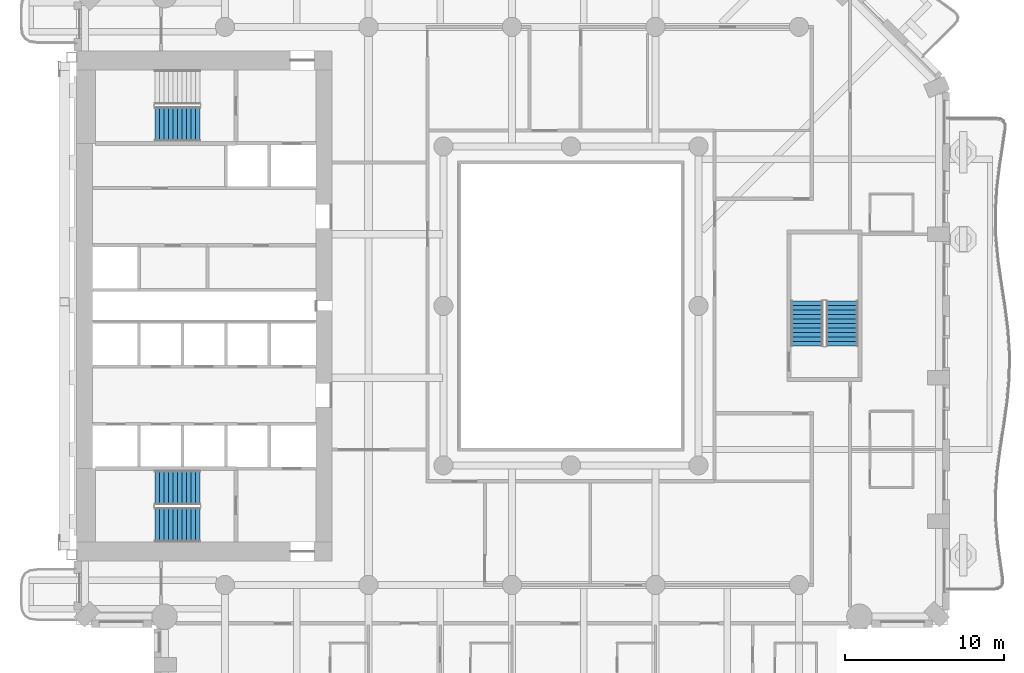
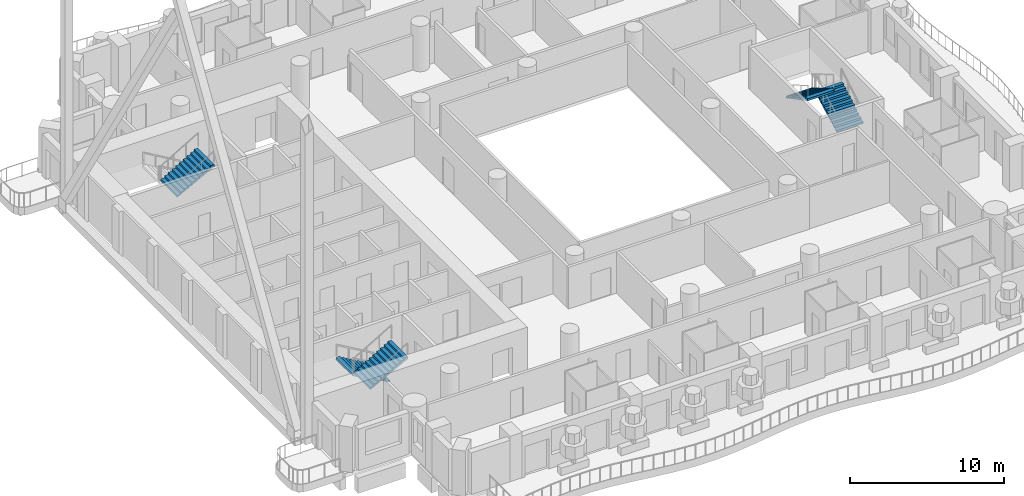
# One storey, part 15 of 24: 5 stair flights, 3 elements without a shape of their own.
"""IFC4 building model written with IfcOpenShell, lengths in metres."""

from ifc_helpers import new_model, si_unit, direction, frame, origin, place, context, subcontext, project, spatial, triangles, material, type_object, element, aggregate, save


model = new_model("IFC4")

# Units and contexts
model_context = context("Model", 3, precision=1e-05, world=origin(), true_north=direction((0.0, 1.0)))
body_context = subcontext(model_context, "Body", "Model", "MODEL_VIEW")
ifc_project = project(units=[si_unit("LENGTHUNIT", "METRE"), si_unit("AREAUNIT", "SQUARE_METRE"), si_unit("VOLUMEUNIT", "CUBIC_METRE"), si_unit("PLANEANGLEUNIT", "RADIAN"), si_unit("MASSUNIT", "GRAM", prefix="KILO")], contexts=[model_context])

# Site, building, storey
site_placement = place(None, origin())
site = spatial("IfcSite", under=ifc_project, at=site_placement, CompositionType="ELEMENT")
building_placement = place(site_placement, origin())
building = spatial("IfcBuilding", under=site, at=building_placement, Name="Cypress Arch Tower", CompositionType="ELEMENT")
storey_placement = place(building_placement, frame((0.0, 0.0, 102.300048828125)))
storey = spatial("IfcBuildingStorey", under=building, at=storey_placement, Name="L20", CompositionType="ELEMENT", Elevation=102.300048828125)

# Stair, stair flights
ifc_material_1 = material(Name="Concrete C40/50", Category="concrete")
stair_type_1 = type_object("IfcStairType", Name="Exit stair ES1636-200", PredefinedType="HALF_TURN_STAIR", material=ifc_material_1)
stair_1_placement = place(storey_placement, origin())
stair_1 = element("IfcStair", 1, at=stair_1_placement, inside=storey, type_object=stair_type_1, Name="L20 Exit stair C", PredefinedType="HALF_TURN_STAIR")
ifc_material_2 = material(Name="Concrete C40/50", Category="concrete")
stair_flight_type_1 = type_object("IfcStairFlightType", Name="Exit stair flight ES1636-200", PredefinedType="STRAIGHT", material=ifc_material_2)
stair_flight_1_placement = place(storey_placement, frame((18.0, -2.5, 0.0), z_axis=(0.0, 0.0, 1.0), x_axis=(0.0, 1.0, 0.0)))
stair_flight_1 = element("IfcStairFlight", 2, at=stair_flight_1_placement, type_object=stair_flight_type_1, Name="C flight 1", NumberOfRisers=11, NumberOfTreads=10, PredefinedType="STRAIGHT", RiserHeight=0.163636364, TreadLength=0.28, context=body_context, shape_type="Tessellation", body=[
    triangles([(0.0, -1.0, 0.0), (0.00048828125, -1.0, 0.054443359375), (0.00048828125, -1.0, 0.109130859375), (0.0, -1.0, 0.16357421875), (0.280029296875, -1.0, 0.16357421875), (0.280029296875, -1.0, 0.327392578125), (0.56005859375, -1.0, 0.327392578125), (0.56005859375, -1.0, 0.490966796875), (0.840087890625, -1.0, 0.490966796875), (0.840087890625, -1.0, 0.654541015625), (1.1201171875, -1.0, 0.654541015625), (1.1201171875, -1.0, 0.818115234375), (1.39990234375, -1.0, 0.818115234375), (1.39990234375, -1.0, 0.98193359375), (1.679931640625, -1.0, 0.98193359375), (1.679931640625, -1.0, 1.1455078125), (1.9599609375, -1.0, 1.1455078125), (1.9599609375, -1.0, 1.30908203125), (2.239990234375, -1.0, 1.30908203125), (2.239990234375, -1.0, 1.47265625), (2.52001953125, -1.0, 1.47265625), (2.52001953125, -1.0, 1.636474609375), (2.800048828125, -1.0, 1.636474609375), (2.799560546875, -1.0, 1.57861328125), (2.799560546875, -1.0, 1.5205078125), (2.800048828125, -1.0, 1.462646484375), (2.800048828125, 1.0, 1.462646484375), (2.799560546875, 1.0, 1.5205078125), (2.799560546875, 1.0, 1.57861328125), (2.800048828125, 1.0, 1.636474609375), (2.52001953125, 1.0, 1.636474609375), (2.52001953125, 1.0, 1.47265625), (2.239990234375, 1.0, 1.47265625), (2.239990234375, 1.0, 1.30908203125), (1.9599609375, 1.0, 1.30908203125), (1.9599609375, 1.0, 1.1455078125), (1.679931640625, 1.0, 1.1455078125), (1.679931640625, 1.0, 0.98193359375), (1.39990234375, 1.0, 0.98193359375), (1.39990234375, 1.0, 0.818115234375), (1.1201171875, 1.0, 0.818115234375), (1.1201171875, 1.0, 0.654541015625), (0.840087890625, 1.0, 0.654541015625), (0.840087890625, 1.0, 0.490966796875), (0.56005859375, 1.0, 0.490966796875), (0.56005859375, 1.0, 0.327392578125), (0.280029296875, 1.0, 0.327392578125), (0.280029296875, 1.0, 0.16357421875), (0.0, 1.0, 0.16357421875), (0.00048828125, 1.0, 0.109130859375), (0.00048828125, 1.0, 0.054443359375), (0.0, 1.0, 0.0), (2.799560546875, 0.0, 1.5205078125), (2.800048828125, 0.0, 1.462646484375), (2.799560546875, 0.0, 1.57861328125), (2.800048828125, 0.0, 1.636474609375), (2.52001953125, 0.0, 1.636474609375), (2.52001953125, 0.0, 1.47265625), (2.239990234375, 0.0, 1.47265625), (2.239990234375, 0.0, 1.30908203125), (1.9599609375, 0.0, 1.30908203125), (1.9599609375, 0.0, 1.1455078125), (1.679931640625, 0.0, 1.1455078125), (1.679931640625, 0.0, 0.98193359375), (1.39990234375, 0.0, 0.98193359375), (1.39990234375, 0.0, 0.818115234375), (1.1201171875, 0.0, 0.818115234375), (1.1201171875, 0.0, 0.654541015625), (0.840087890625, 0.0, 0.654541015625), (0.840087890625, 0.0, 0.490966796875), (0.56005859375, 0.0, 0.490966796875), (0.56005859375, 0.0, 0.327392578125), (0.280029296875, 0.0, 0.327392578125), (0.280029296875, 0.0, 0.16357421875), (0.0, 0.0, 0.16357421875), (0.00048828125, 0.0, 0.109130859375), (0.00048828125, 0.0, 0.054443359375), (0.0, 0.0, 0.0)], [[26, 25, 22], [25, 24, 22], [24, 23, 22], [15, 14, 13], [7, 6, 5], [13, 12, 11], [21, 20, 19], [19, 18, 17], [17, 16, 15], [11, 10, 9], [9, 8, 7], [4, 3, 5], [3, 2, 5], [2, 1, 5], [26, 22, 21], [26, 21, 19], [26, 19, 17], [26, 17, 15], [26, 15, 13], [26, 13, 11], [26, 11, 9], [26, 9, 7], [26, 7, 5], [26, 5, 1], [27, 31, 28], [28, 31, 29], [29, 31, 30], [38, 40, 39], [46, 48, 47], [40, 42, 41], [32, 34, 33], [34, 36, 35], [36, 38, 37], [42, 44, 43], [44, 46, 45], [49, 48, 50], [50, 48, 51], [51, 48, 52], [27, 32, 31], [27, 34, 32], [27, 36, 34], [27, 38, 36], [27, 40, 38], [27, 42, 40], [27, 44, 42], [27, 46, 44], [27, 48, 46], [27, 52, 48], [54, 53, 25], [54, 25, 26], [27, 28, 53], [27, 53, 54], [53, 55, 24], [53, 24, 25], [28, 29, 55], [28, 55, 53], [55, 56, 23], [55, 23, 24], [29, 30, 56], [29, 56, 55], [56, 57, 22], [56, 22, 23], [30, 31, 57], [30, 57, 56], [57, 58, 21], [57, 21, 22], [31, 32, 58], [31, 58, 57], [58, 59, 20], [58, 20, 21], [32, 33, 59], [32, 59, 58], [59, 60, 19], [59, 19, 20], [33, 34, 60], [33, 60, 59], [60, 61, 18], [60, 18, 19], [34, 35, 61], [34, 61, 60], [61, 62, 17], [61, 17, 18], [35, 36, 62], [35, 62, 61], [62, 63, 16], [62, 16, 17], [36, 37, 63], [36, 63, 62], [63, 64, 15], [63, 15, 16], [37, 38, 64], [37, 64, 63], [64, 65, 14], [64, 14, 15], [38, 39, 65], [38, 65, 64], [65, 66, 13], [65, 13, 14], [39, 40, 66], [39, 66, 65], [66, 67, 12], [66, 12, 13], [40, 41, 67], [40, 67, 66], [67, 68, 11], [67, 11, 12], [41, 42, 68], [41, 68, 67], [68, 69, 10], [68, 10, 11], [42, 43, 69], [42, 69, 68], [69, 70, 9], [69, 9, 10], [43, 44, 70], [43, 70, 69], [70, 71, 8], [70, 8, 9], [44, 45, 71], [44, 71, 70], [71, 72, 7], [71, 7, 8], [45, 46, 72], [45, 72, 71], [72, 73, 6], [72, 6, 7], [46, 47, 73], [46, 73, 72], [73, 74, 5], [73, 5, 6], [47, 48, 74], [47, 74, 73], [74, 75, 4], [74, 4, 5], [48, 49, 75], [48, 75, 74], [75, 76, 3], [75, 3, 4], [49, 50, 76], [49, 76, 75], [76, 77, 2], [76, 2, 3], [50, 51, 77], [50, 77, 76], [77, 78, 1], [77, 1, 2], [51, 52, 78], [51, 78, 77], [78, 54, 26], [78, 26, 1], [52, 27, 54], [52, 54, 78]], closed=True),
])
stair_flight_2_placement = place(storey_placement, frame((15.800048828125, 0.300048828125, 1.800048828125), z_axis=(0.0, 0.0, 1.0), x_axis=(0.0, -1.0, 0.0)))
stair_flight_2 = element("IfcStairFlight", 3, at=stair_flight_2_placement, type_object=stair_flight_type_1, Name="C flight 2", NumberOfRisers=11, NumberOfTreads=10, PredefinedType="STRAIGHT", RiserHeight=0.163636364, TreadLength=0.28, context=body_context, shape_type="Tessellation", body=[
    triangles([(0.0, -1.0, 0.0), (0.00048828125, -1.0, 0.054443359375), (0.00048828125, -1.0, 0.109130859375), (0.0, -1.0, 0.16357421875), (0.280029296875, -1.0, 0.16357421875), (0.280029296875, -1.0, 0.327392578125), (0.56005859375, -1.0, 0.327392578125), (0.56005859375, -1.0, 0.490966796875), (0.840087890625, -1.0, 0.490966796875), (0.840087890625, -1.0, 0.654541015625), (1.1201171875, -1.0, 0.654541015625), (1.1201171875, -1.0, 0.818115234375), (1.39990234375, -1.0, 0.818115234375), (1.39990234375, -1.0, 0.98193359375), (1.679931640625, -1.0, 0.98193359375), (1.679931640625, -1.0, 1.1455078125), (1.9599609375, -1.0, 1.1455078125), (1.9599609375, -1.0, 1.30908203125), (2.239990234375, -1.0, 1.30908203125), (2.239990234375, -1.0, 1.47265625), (2.52001953125, -1.0, 1.47265625), (2.52001953125, -1.0, 1.636474609375), (2.800048828125, -1.0, 1.636474609375), (2.799560546875, -1.0, 1.57861328125), (2.799560546875, -1.0, 1.5205078125), (2.800048828125, -1.0, 1.462646484375), (2.800048828125, 1.0, 1.462646484375), (2.799560546875, 1.0, 1.5205078125), (2.799560546875, 1.0, 1.57861328125), (2.800048828125, 1.0, 1.636474609375), (2.52001953125, 1.0, 1.636474609375), (2.52001953125, 1.0, 1.47265625), (2.239990234375, 1.0, 1.47265625), (2.239990234375, 1.0, 1.30908203125), (1.9599609375, 1.0, 1.30908203125), (1.9599609375, 1.0, 1.1455078125), (1.679931640625, 1.0, 1.1455078125), (1.679931640625, 1.0, 0.98193359375), (1.39990234375, 1.0, 0.98193359375), (1.39990234375, 1.0, 0.818115234375), (1.1201171875, 1.0, 0.818115234375), (1.1201171875, 1.0, 0.654541015625), (0.840087890625, 1.0, 0.654541015625), (0.840087890625, 1.0, 0.490966796875), (0.56005859375, 1.0, 0.490966796875), (0.56005859375, 1.0, 0.327392578125), (0.280029296875, 1.0, 0.327392578125), (0.280029296875, 1.0, 0.16357421875), (0.0, 1.0, 0.16357421875), (0.00048828125, 1.0, 0.109130859375), (0.00048828125, 1.0, 0.054443359375), (0.0, 1.0, 0.0), (2.799560546875, 0.0, 1.5205078125), (2.800048828125, 0.0, 1.462646484375), (2.799560546875, 0.0, 1.57861328125), (2.800048828125, 0.0, 1.636474609375), (2.52001953125, 0.0, 1.636474609375), (2.52001953125, 0.0, 1.47265625), (2.239990234375, 0.0, 1.47265625), (2.239990234375, 0.0, 1.30908203125), (1.9599609375, 0.0, 1.30908203125), (1.9599609375, 0.0, 1.1455078125), (1.679931640625, 0.0, 1.1455078125), (1.679931640625, 0.0, 0.98193359375), (1.39990234375, 0.0, 0.98193359375), (1.39990234375, 0.0, 0.818115234375), (1.1201171875, 0.0, 0.818115234375), (1.1201171875, 0.0, 0.654541015625), (0.840087890625, 0.0, 0.654541015625), (0.840087890625, 0.0, 0.490966796875), (0.56005859375, 0.0, 0.490966796875), (0.56005859375, 0.0, 0.327392578125), (0.280029296875, 0.0, 0.327392578125), (0.280029296875, 0.0, 0.16357421875), (0.0, 0.0, 0.16357421875), (0.00048828125, 0.0, 0.109130859375), (0.00048828125, 0.0, 0.054443359375), (0.0, 0.0, 0.0)], [[26, 25, 22], [25, 24, 22], [24, 23, 22], [15, 14, 13], [7, 6, 5], [13, 12, 11], [21, 20, 19], [19, 18, 17], [17, 16, 15], [11, 10, 9], [9, 8, 7], [4, 3, 5], [3, 2, 5], [2, 1, 5], [26, 22, 21], [26, 21, 19], [26, 19, 17], [26, 17, 15], [26, 15, 13], [26, 13, 11], [26, 11, 9], [26, 9, 7], [26, 7, 5], [26, 5, 1], [27, 31, 28], [28, 31, 29], [29, 31, 30], [38, 40, 39], [46, 48, 47], [40, 42, 41], [32, 34, 33], [34, 36, 35], [36, 38, 37], [42, 44, 43], [44, 46, 45], [49, 48, 50], [50, 48, 51], [51, 48, 52], [27, 32, 31], [27, 34, 32], [27, 36, 34], [27, 38, 36], [27, 40, 38], [27, 42, 40], [27, 44, 42], [27, 46, 44], [27, 48, 46], [27, 52, 48], [54, 53, 25], [54, 25, 26], [27, 28, 53], [27, 53, 54], [53, 55, 24], [53, 24, 25], [28, 29, 55], [28, 55, 53], [55, 56, 23], [55, 23, 24], [29, 30, 56], [29, 56, 55], [56, 57, 22], [56, 22, 23], [30, 31, 57], [30, 57, 56], [57, 58, 21], [57, 21, 22], [31, 32, 58], [31, 58, 57], [58, 59, 20], [58, 20, 21], [32, 33, 59], [32, 59, 58], [59, 60, 19], [59, 19, 20], [33, 34, 60], [33, 60, 59], [60, 61, 18], [60, 18, 19], [34, 35, 61], [34, 61, 60], [61, 62, 17], [61, 17, 18], [35, 36, 62], [35, 62, 61], [62, 63, 16], [62, 16, 17], [36, 37, 63], [36, 63, 62], [63, 64, 15], [63, 15, 16], [37, 38, 64], [37, 64, 63], [64, 65, 14], [64, 14, 15], [38, 39, 65], [38, 65, 64], [65, 66, 13], [65, 13, 14], [39, 40, 66], [39, 66, 65], [66, 67, 12], [66, 12, 13], [40, 41, 67], [40, 67, 66], [67, 68, 11], [67, 11, 12], [41, 42, 68], [41, 68, 67], [68, 69, 10], [68, 10, 11], [42, 43, 69], [42, 69, 68], [69, 70, 9], [69, 9, 10], [43, 44, 70], [43, 70, 69], [70, 71, 8], [70, 8, 9], [44, 45, 71], [44, 71, 70], [71, 72, 7], [71, 7, 8], [45, 46, 72], [45, 72, 71], [72, 73, 6], [72, 6, 7], [46, 47, 73], [46, 73, 72], [73, 74, 5], [73, 5, 6], [47, 48, 74], [47, 74, 73], [74, 75, 4], [74, 4, 5], [48, 49, 75], [48, 75, 74], [75, 76, 3], [75, 3, 4], [49, 50, 76], [49, 76, 75], [76, 77, 2], [76, 2, 3], [50, 51, 77], [50, 77, 76], [77, 78, 1], [77, 1, 2], [51, 52, 78], [51, 78, 77], [78, 54, 26], [78, 26, 1], [52, 27, 54], [52, 54, 78]], closed=True),
])
aggregate(stair_1, [stair_flight_1, stair_flight_2])

ifc_material_3 = material(Name="Concrete C40/50", Category="concrete")
stair_type_2 = type_object("IfcStairType", Name="Exit stair ES1636-215", PredefinedType="HALF_TURN_STAIR", material=ifc_material_3)
stair_2_placement = place(storey_placement, origin())
stair_2 = element("IfcStair", 4, at=stair_2_placement, inside=storey, type_object=stair_type_2, Name="L20 Exit stair A", PredefinedType="HALF_TURN_STAIR")
ifc_material_4 = material(Name="Concrete C40/50", Category="concrete")
stair_flight_type_2 = type_object("IfcStairFlightType", Name="Exit stair flight ES1636-215", PredefinedType="STRAIGHT", material=ifc_material_4)
stair_flight_3_placement = place(storey_placement, frame((-22.27490234375, -11.39990234375, 0.0), z_axis=(0.0, 0.0, 1.0), x_axis=(-1.0, 0.0, 0.0)))
stair_flight_3 = element("IfcStairFlight", 5, at=stair_flight_3_placement, type_object=stair_flight_type_2, Name="A flight 1", NumberOfRisers=11, NumberOfTreads=10, PredefinedType="STRAIGHT", RiserHeight=0.163636364, TreadLength=0.28, context=body_context, shape_type="Tessellation", body=[
    triangles([(0.0, -1.074951171875, 0.0), (0.000244140625, -1.074951171875, 0.03271484375), (0.00048828125, -1.074951171875, 0.0654296875), (0.00048828125, -1.074951171875, 0.09814453125), (0.000244140625, -1.074951171875, 0.130859375), (0.0, -1.074951171875, 0.16357421875), (0.280029296875, -1.074951171875, 0.16357421875), (0.280029296875, -1.074951171875, 0.327392578125), (0.56005859375, -1.074951171875, 0.327392578125), (0.56005859375, -1.074951171875, 0.490966796875), (0.840087890625, -1.074951171875, 0.490966796875), (0.840087890625, -1.074951171875, 0.654541015625), (1.1201171875, -1.074951171875, 0.654541015625), (1.1201171875, -1.074951171875, 0.818115234375), (1.39990234375, -1.074951171875, 0.818115234375), (1.39990234375, -1.074951171875, 0.98193359375), (1.679931640625, -1.074951171875, 0.98193359375), (1.679931640625, -1.074951171875, 1.1455078125), (1.9599609375, -1.074951171875, 1.1455078125), (1.9599609375, -1.074951171875, 1.30908203125), (2.239990234375, -1.074951171875, 1.30908203125), (2.239990234375, -1.074951171875, 1.47265625), (2.52001953125, -1.074951171875, 1.47265625), (2.52001953125, -1.074951171875, 1.636474609375), (2.800048828125, -1.074951171875, 1.636474609375), (2.7998046875, -1.074951171875, 1.601806640625), (2.799560546875, -1.074951171875, 1.56689453125), (2.799560546875, -1.074951171875, 1.5322265625), (2.7998046875, -1.074951171875, 1.497314453125), (2.800048828125, -1.074951171875, 1.462646484375), (2.800048828125, 1.074951171875, 1.462646484375), (2.7998046875, 1.074951171875, 1.497314453125), (2.799560546875, 1.074951171875, 1.5322265625), (2.799560546875, 1.074951171875, 1.56689453125), (2.7998046875, 1.074951171875, 1.601806640625), (2.800048828125, 1.074951171875, 1.636474609375), (2.52001953125, 1.074951171875, 1.636474609375), (2.52001953125, 1.074951171875, 1.47265625), (2.239990234375, 1.074951171875, 1.47265625), (2.239990234375, 1.074951171875, 1.30908203125), (1.9599609375, 1.074951171875, 1.30908203125), (1.9599609375, 1.074951171875, 1.1455078125), (1.679931640625, 1.074951171875, 1.1455078125), (1.679931640625, 1.074951171875, 0.98193359375), (1.39990234375, 1.074951171875, 0.98193359375), (1.39990234375, 1.074951171875, 0.818115234375), (1.1201171875, 1.074951171875, 0.818115234375), (1.1201171875, 1.074951171875, 0.654541015625), (0.840087890625, 1.074951171875, 0.654541015625), (0.840087890625, 1.074951171875, 0.490966796875), (0.56005859375, 1.074951171875, 0.490966796875), (0.56005859375, 1.074951171875, 0.327392578125), (0.280029296875, 1.074951171875, 0.327392578125), (0.280029296875, 1.074951171875, 0.16357421875), (0.0, 1.074951171875, 0.16357421875), (0.000244140625, 1.074951171875, 0.130859375), (0.00048828125, 1.074951171875, 0.09814453125), (0.00048828125, 1.074951171875, 0.0654296875), (0.000244140625, 1.074951171875, 0.03271484375), (0.0, 1.074951171875, 0.0), (2.7998046875, 0.0, 1.497314453125), (2.800048828125, 0.0, 1.462646484375), (2.799560546875, 0.0, 1.5322265625), (2.799560546875, 0.0, 1.56689453125), (2.7998046875, 0.0, 1.601806640625), (2.800048828125, 0.0, 1.636474609375), (2.52001953125, 0.0, 1.636474609375), (2.52001953125, 0.0, 1.47265625), (2.239990234375, 0.0, 1.47265625), (2.239990234375, 0.0, 1.30908203125), (1.9599609375, 0.0, 1.30908203125), (1.9599609375, 0.0, 1.1455078125), (1.679931640625, 0.0, 1.1455078125), (1.679931640625, 0.0, 0.98193359375), (1.39990234375, 0.0, 0.98193359375), (1.39990234375, 0.0, 0.818115234375), (1.1201171875, 0.0, 0.818115234375), (1.1201171875, 0.0, 0.654541015625), (0.840087890625, 0.0, 0.654541015625), (0.840087890625, 0.0, 0.490966796875), (0.56005859375, 0.0, 0.490966796875), (0.56005859375, 0.0, 0.327392578125), (0.280029296875, 0.0, 0.327392578125), (0.280029296875, 0.0, 0.16357421875), (0.0, 0.0, 0.16357421875), (0.000244140625, 0.0, 0.130859375), (0.00048828125, 0.0, 0.09814453125), (0.00048828125, 0.0, 0.0654296875), (0.000244140625, 0.0, 0.03271484375), (0.0, 0.0, 0.0)], [[30, 29, 24], [29, 28, 24], [28, 27, 24], [27, 26, 24], [26, 25, 24], [17, 16, 15], [9, 8, 7], [15, 14, 13], [23, 22, 21], [21, 20, 19], [19, 18, 17], [13, 12, 11], [11, 10, 9], [6, 5, 7], [5, 4, 7], [4, 3, 7], [3, 2, 7], [2, 1, 7], [30, 24, 23], [30, 23, 21], [30, 21, 19], [30, 19, 17], [30, 17, 15], [30, 15, 13], [30, 13, 11], [30, 11, 9], [30, 9, 7], [30, 7, 1], [31, 37, 32], [32, 37, 33], [33, 37, 34], [34, 37, 35], [35, 37, 36], [44, 46, 45], [52, 54, 53], [46, 48, 47], [38, 40, 39], [40, 42, 41], [42, 44, 43], [48, 50, 49], [50, 52, 51], [55, 54, 56], [56, 54, 57], [57, 54, 58], [58, 54, 59], [59, 54, 60], [31, 38, 37], [31, 40, 38], [31, 42, 40], [31, 44, 42], [31, 46, 44], [31, 48, 46], [31, 50, 48], [31, 52, 50], [31, 54, 52], [31, 60, 54], [62, 61, 29], [62, 29, 30], [31, 32, 61], [31, 61, 62], [61, 63, 28], [61, 28, 29], [32, 33, 63], [32, 63, 61], [63, 64, 27], [63, 27, 28], [33, 34, 64], [33, 64, 63], [64, 65, 26], [64, 26, 27], [34, 35, 65], [34, 65, 64], [65, 66, 25], [65, 25, 26], [35, 36, 66], [35, 66, 65], [66, 67, 24], [66, 24, 25], [36, 37, 67], [36, 67, 66], [67, 68, 23], [67, 23, 24], [37, 38, 68], [37, 68, 67], [68, 69, 22], [68, 22, 23], [38, 39, 69], [38, 69, 68], [69, 70, 21], [69, 21, 22], [39, 40, 70], [39, 70, 69], [70, 71, 20], [70, 20, 21], [40, 41, 71], [40, 71, 70], [71, 72, 19], [71, 19, 20], [41, 42, 72], [41, 72, 71], [72, 73, 18], [72, 18, 19], [42, 43, 73], [42, 73, 72], [73, 74, 17], [73, 17, 18], [43, 44, 74], [43, 74, 73], [74, 75, 16], [74, 16, 17], [44, 45, 75], [44, 75, 74], [75, 76, 15], [75, 15, 16], [45, 46, 76], [45, 76, 75], [76, 77, 14], [76, 14, 15], [46, 47, 77], [46, 77, 76], [77, 78, 13], [77, 13, 14], [47, 48, 78], [47, 78, 77], [78, 79, 12], [78, 12, 13], [48, 49, 79], [48, 79, 78], [79, 80, 11], [79, 11, 12], [49, 50, 80], [49, 80, 79], [80, 81, 10], [80, 10, 11], [50, 51, 81], [50, 81, 80], [81, 82, 9], [81, 9, 10], [51, 52, 82], [51, 82, 81], [82, 83, 8], [82, 8, 9], [52, 53, 83], [52, 83, 82], [83, 84, 7], [83, 7, 8], [53, 54, 84], [53, 84, 83], [84, 85, 6], [84, 6, 7], [54, 55, 85], [54, 85, 84], [85, 86, 5], [85, 5, 6], [55, 56, 86], [55, 86, 85], [86, 87, 4], [86, 4, 5], [56, 57, 87], [56, 87, 86], [87, 88, 3], [87, 3, 4], [57, 58, 88], [57, 88, 87], [88, 89, 2], [88, 2, 3], [58, 59, 89], [58, 89, 88], [89, 90, 1], [89, 1, 2], [59, 60, 90], [59, 90, 89], [90, 62, 30], [90, 30, 1], [60, 31, 62], [60, 62, 90]], closed=True),
])
stair_flight_4_placement = place(storey_placement, frame((-25.074951171875, -13.72509765625, 1.800048828125), z_axis=(0.0, 0.0, 1.0), x_axis=(1.0, 0.0, 0.0)))
stair_flight_4 = element("IfcStairFlight", 6, at=stair_flight_4_placement, type_object=stair_flight_type_2, Name="A flight 2", NumberOfRisers=11, NumberOfTreads=10, PredefinedType="STRAIGHT", RiserHeight=0.163636364, TreadLength=0.28, context=body_context, shape_type="Tessellation", body=[
    triangles([(0.0, -1.074951171875, 0.0), (0.000244140625, -1.074951171875, 0.03271484375), (0.00048828125, -1.074951171875, 0.0654296875), (0.00048828125, -1.074951171875, 0.09814453125), (0.000244140625, -1.074951171875, 0.130859375), (0.0, -1.074951171875, 0.16357421875), (0.280029296875, -1.074951171875, 0.16357421875), (0.280029296875, -1.074951171875, 0.327392578125), (0.56005859375, -1.074951171875, 0.327392578125), (0.56005859375, -1.074951171875, 0.490966796875), (0.840087890625, -1.074951171875, 0.490966796875), (0.840087890625, -1.074951171875, 0.654541015625), (1.1201171875, -1.074951171875, 0.654541015625), (1.1201171875, -1.074951171875, 0.818115234375), (1.39990234375, -1.074951171875, 0.818115234375), (1.39990234375, -1.074951171875, 0.98193359375), (1.679931640625, -1.074951171875, 0.98193359375), (1.679931640625, -1.074951171875, 1.1455078125), (1.9599609375, -1.074951171875, 1.1455078125), (1.9599609375, -1.074951171875, 1.30908203125), (2.239990234375, -1.074951171875, 1.30908203125), (2.239990234375, -1.074951171875, 1.47265625), (2.52001953125, -1.074951171875, 1.47265625), (2.52001953125, -1.074951171875, 1.636474609375), (2.800048828125, -1.074951171875, 1.636474609375), (2.7998046875, -1.074951171875, 1.601806640625), (2.799560546875, -1.074951171875, 1.56689453125), (2.799560546875, -1.074951171875, 1.5322265625), (2.7998046875, -1.074951171875, 1.497314453125), (2.800048828125, -1.074951171875, 1.462646484375), (2.800048828125, 1.074951171875, 1.462646484375), (2.7998046875, 1.074951171875, 1.497314453125), (2.799560546875, 1.074951171875, 1.5322265625), (2.799560546875, 1.074951171875, 1.56689453125), (2.7998046875, 1.074951171875, 1.601806640625), (2.800048828125, 1.074951171875, 1.636474609375), (2.52001953125, 1.074951171875, 1.636474609375), (2.52001953125, 1.074951171875, 1.47265625), (2.239990234375, 1.074951171875, 1.47265625), (2.239990234375, 1.074951171875, 1.30908203125), (1.9599609375, 1.074951171875, 1.30908203125), (1.9599609375, 1.074951171875, 1.1455078125), (1.679931640625, 1.074951171875, 1.1455078125), (1.679931640625, 1.074951171875, 0.98193359375), (1.39990234375, 1.074951171875, 0.98193359375), (1.39990234375, 1.074951171875, 0.818115234375), (1.1201171875, 1.074951171875, 0.818115234375), (1.1201171875, 1.074951171875, 0.654541015625), (0.840087890625, 1.074951171875, 0.654541015625), (0.840087890625, 1.074951171875, 0.490966796875), (0.56005859375, 1.074951171875, 0.490966796875), (0.56005859375, 1.074951171875, 0.327392578125), (0.280029296875, 1.074951171875, 0.327392578125), (0.280029296875, 1.074951171875, 0.16357421875), (0.0, 1.074951171875, 0.16357421875), (0.000244140625, 1.074951171875, 0.130859375), (0.00048828125, 1.074951171875, 0.09814453125), (0.00048828125, 1.074951171875, 0.0654296875), (0.000244140625, 1.074951171875, 0.03271484375), (0.0, 1.074951171875, 0.0), (2.7998046875, 0.0, 1.497314453125), (2.800048828125, 0.0, 1.462646484375), (2.799560546875, 0.0, 1.5322265625), (2.799560546875, 0.0, 1.56689453125), (2.7998046875, 0.0, 1.601806640625), (2.800048828125, 0.0, 1.636474609375), (2.52001953125, 0.0, 1.636474609375), (2.52001953125, 0.0, 1.47265625), (2.239990234375, 0.0, 1.47265625), (2.239990234375, 0.0, 1.30908203125), (1.9599609375, 0.0, 1.30908203125), (1.9599609375, 0.0, 1.1455078125), (1.679931640625, 0.0, 1.1455078125), (1.679931640625, 0.0, 0.98193359375), (1.39990234375, 0.0, 0.98193359375), (1.39990234375, 0.0, 0.818115234375), (1.1201171875, 0.0, 0.818115234375), (1.1201171875, 0.0, 0.654541015625), (0.840087890625, 0.0, 0.654541015625), (0.840087890625, 0.0, 0.490966796875), (0.56005859375, 0.0, 0.490966796875), (0.56005859375, 0.0, 0.327392578125), (0.280029296875, 0.0, 0.327392578125), (0.280029296875, 0.0, 0.16357421875), (0.0, 0.0, 0.16357421875), (0.000244140625, 0.0, 0.130859375), (0.00048828125, 0.0, 0.09814453125), (0.00048828125, 0.0, 0.0654296875), (0.000244140625, 0.0, 0.03271484375), (0.0, 0.0, 0.0)], [[30, 29, 24], [29, 28, 24], [28, 27, 24], [27, 26, 24], [26, 25, 24], [17, 16, 15], [9, 8, 7], [15, 14, 13], [23, 22, 21], [21, 20, 19], [19, 18, 17], [13, 12, 11], [11, 10, 9], [6, 5, 7], [5, 4, 7], [4, 3, 7], [3, 2, 7], [2, 1, 7], [30, 24, 23], [30, 23, 21], [30, 21, 19], [30, 19, 17], [30, 17, 15], [30, 15, 13], [30, 13, 11], [30, 11, 9], [30, 9, 7], [30, 7, 1], [31, 37, 32], [32, 37, 33], [33, 37, 34], [34, 37, 35], [35, 37, 36], [44, 46, 45], [52, 54, 53], [46, 48, 47], [38, 40, 39], [40, 42, 41], [42, 44, 43], [48, 50, 49], [50, 52, 51], [55, 54, 56], [56, 54, 57], [57, 54, 58], [58, 54, 59], [59, 54, 60], [31, 38, 37], [31, 40, 38], [31, 42, 40], [31, 44, 42], [31, 46, 44], [31, 48, 46], [31, 50, 48], [31, 52, 50], [31, 54, 52], [31, 60, 54], [62, 61, 29], [62, 29, 30], [31, 32, 61], [31, 61, 62], [61, 63, 28], [61, 28, 29], [32, 33, 63], [32, 63, 61], [63, 64, 27], [63, 27, 28], [33, 34, 64], [33, 64, 63], [64, 65, 26], [64, 26, 27], [34, 35, 65], [34, 65, 64], [65, 66, 25], [65, 25, 26], [35, 36, 66], [35, 66, 65], [66, 67, 24], [66, 24, 25], [36, 37, 67], [36, 67, 66], [67, 68, 23], [67, 23, 24], [37, 38, 68], [37, 68, 67], [68, 69, 22], [68, 22, 23], [38, 39, 69], [38, 69, 68], [69, 70, 21], [69, 21, 22], [39, 40, 70], [39, 70, 69], [70, 71, 20], [70, 20, 21], [40, 41, 71], [40, 71, 70], [71, 72, 19], [71, 19, 20], [41, 42, 72], [41, 72, 71], [72, 73, 18], [72, 18, 19], [42, 43, 73], [42, 73, 72], [73, 74, 17], [73, 17, 18], [43, 44, 74], [43, 74, 73], [74, 75, 16], [74, 16, 17], [44, 45, 75], [44, 75, 74], [75, 76, 15], [75, 15, 16], [45, 46, 76], [45, 76, 75], [76, 77, 14], [76, 14, 15], [46, 47, 77], [46, 77, 76], [77, 78, 13], [77, 13, 14], [47, 48, 78], [47, 78, 77], [78, 79, 12], [78, 12, 13], [48, 49, 79], [48, 79, 78], [79, 80, 11], [79, 11, 12], [49, 50, 80], [49, 80, 79], [80, 81, 10], [80, 10, 11], [50, 51, 81], [50, 81, 80], [81, 82, 9], [81, 9, 10], [51, 52, 82], [51, 82, 81], [82, 83, 8], [82, 8, 9], [52, 53, 83], [52, 83, 82], [83, 84, 7], [83, 7, 8], [53, 54, 84], [53, 84, 83], [84, 85, 6], [84, 6, 7], [54, 55, 85], [54, 85, 84], [85, 86, 5], [85, 5, 6], [55, 56, 86], [55, 86, 85], [86, 87, 4], [86, 4, 5], [56, 57, 87], [56, 87, 86], [87, 88, 3], [87, 3, 4], [57, 58, 88], [57, 88, 87], [88, 89, 2], [88, 2, 3], [58, 59, 89], [58, 89, 88], [89, 90, 1], [89, 1, 2], [59, 60, 90], [59, 90, 89], [90, 62, 30], [90, 30, 1], [60, 31, 62], [60, 62, 90]], closed=True),
])
aggregate(stair_2, [stair_flight_3, stair_flight_4])

# Stair, stair flight
stair_3_placement = place(storey_placement, origin())
stair_3 = element("IfcStair", 7, at=stair_3_placement, inside=storey, type_object=stair_type_2, Name="L20 Exit stair B", PredefinedType="HALF_TURN_STAIR")
stair_flight_5_placement = place(storey_placement, frame((-25.074951171875, 11.39990234375, 1.800048828125), z_axis=(0.0, 0.0, 1.0), x_axis=(1.0, 0.0, 0.0)))
stair_flight_5 = element("IfcStairFlight", 8, at=stair_flight_5_placement, type_object=stair_flight_type_2, Name="B flight 2", NumberOfRisers=11, NumberOfTreads=10, PredefinedType="STRAIGHT", RiserHeight=0.163636364, TreadLength=0.28, context=body_context, shape_type="Tessellation", body=[
    triangles([(0.0, -1.074951171875, 0.0), (0.000244140625, -1.074951171875, 0.03271484375), (0.00048828125, -1.074951171875, 0.0654296875), (0.00048828125, -1.074951171875, 0.09814453125), (0.000244140625, -1.074951171875, 0.130859375), (0.0, -1.074951171875, 0.16357421875), (0.280029296875, -1.074951171875, 0.16357421875), (0.280029296875, -1.074951171875, 0.327392578125), (0.56005859375, -1.074951171875, 0.327392578125), (0.56005859375, -1.074951171875, 0.490966796875), (0.840087890625, -1.074951171875, 0.490966796875), (0.840087890625, -1.074951171875, 0.654541015625), (1.1201171875, -1.074951171875, 0.654541015625), (1.1201171875, -1.074951171875, 0.818115234375), (1.39990234375, -1.074951171875, 0.818115234375), (1.39990234375, -1.074951171875, 0.98193359375), (1.679931640625, -1.074951171875, 0.98193359375), (1.679931640625, -1.074951171875, 1.1455078125), (1.9599609375, -1.074951171875, 1.1455078125), (1.9599609375, -1.074951171875, 1.30908203125), (2.239990234375, -1.074951171875, 1.30908203125), (2.239990234375, -1.074951171875, 1.47265625), (2.52001953125, -1.074951171875, 1.47265625), (2.52001953125, -1.074951171875, 1.636474609375), (2.800048828125, -1.074951171875, 1.636474609375), (2.7998046875, -1.074951171875, 1.601806640625), (2.799560546875, -1.074951171875, 1.56689453125), (2.799560546875, -1.074951171875, 1.5322265625), (2.7998046875, -1.074951171875, 1.497314453125), (2.800048828125, -1.074951171875, 1.462646484375), (2.800048828125, 1.074951171875, 1.462646484375), (2.7998046875, 1.074951171875, 1.497314453125), (2.799560546875, 1.074951171875, 1.5322265625), (2.799560546875, 1.074951171875, 1.56689453125), (2.7998046875, 1.074951171875, 1.601806640625), (2.800048828125, 1.074951171875, 1.636474609375), (2.52001953125, 1.074951171875, 1.636474609375), (2.52001953125, 1.074951171875, 1.47265625), (2.239990234375, 1.074951171875, 1.47265625), (2.239990234375, 1.074951171875, 1.30908203125), (1.9599609375, 1.074951171875, 1.30908203125), (1.9599609375, 1.074951171875, 1.1455078125), (1.679931640625, 1.074951171875, 1.1455078125), (1.679931640625, 1.074951171875, 0.98193359375), (1.39990234375, 1.074951171875, 0.98193359375), (1.39990234375, 1.074951171875, 0.818115234375), (1.1201171875, 1.074951171875, 0.818115234375), (1.1201171875, 1.074951171875, 0.654541015625), (0.840087890625, 1.074951171875, 0.654541015625), (0.840087890625, 1.074951171875, 0.490966796875), (0.56005859375, 1.074951171875, 0.490966796875), (0.56005859375, 1.074951171875, 0.327392578125), (0.280029296875, 1.074951171875, 0.327392578125), (0.280029296875, 1.074951171875, 0.16357421875), (0.0, 1.074951171875, 0.16357421875), (0.000244140625, 1.074951171875, 0.130859375), (0.00048828125, 1.074951171875, 0.09814453125), (0.00048828125, 1.074951171875, 0.0654296875), (0.000244140625, 1.074951171875, 0.03271484375), (0.0, 1.074951171875, 0.0), (2.7998046875, 0.0, 1.497314453125), (2.800048828125, 0.0, 1.462646484375), (2.799560546875, 0.0, 1.5322265625), (2.799560546875, 0.0, 1.56689453125), (2.7998046875, 0.0, 1.601806640625), (2.800048828125, 0.0, 1.636474609375), (2.52001953125, 0.0, 1.636474609375), (2.52001953125, 0.0, 1.47265625), (2.239990234375, 0.0, 1.47265625), (2.239990234375, 0.0, 1.30908203125), (1.9599609375, 0.0, 1.30908203125), (1.9599609375, 0.0, 1.1455078125), (1.679931640625, 0.0, 1.1455078125), (1.679931640625, 0.0, 0.98193359375), (1.39990234375, 0.0, 0.98193359375), (1.39990234375, 0.0, 0.818115234375), (1.1201171875, 0.0, 0.818115234375), (1.1201171875, 0.0, 0.654541015625), (0.840087890625, 0.0, 0.654541015625), (0.840087890625, 0.0, 0.490966796875), (0.56005859375, 0.0, 0.490966796875), (0.56005859375, 0.0, 0.327392578125), (0.280029296875, 0.0, 0.327392578125), (0.280029296875, 0.0, 0.16357421875), (0.0, 0.0, 0.16357421875), (0.000244140625, 0.0, 0.130859375), (0.00048828125, 0.0, 0.09814453125), (0.00048828125, 0.0, 0.0654296875), (0.000244140625, 0.0, 0.03271484375), (0.0, 0.0, 0.0)], [[30, 29, 24], [29, 28, 24], [28, 27, 24], [27, 26, 24], [26, 25, 24], [17, 16, 15], [9, 8, 7], [15, 14, 13], [23, 22, 21], [21, 20, 19], [19, 18, 17], [13, 12, 11], [11, 10, 9], [6, 5, 7], [5, 4, 7], [4, 3, 7], [3, 2, 7], [2, 1, 7], [30, 24, 23], [30, 23, 21], [30, 21, 19], [30, 19, 17], [30, 17, 15], [30, 15, 13], [30, 13, 11], [30, 11, 9], [30, 9, 7], [30, 7, 1], [31, 37, 32], [32, 37, 33], [33, 37, 34], [34, 37, 35], [35, 37, 36], [44, 46, 45], [52, 54, 53], [46, 48, 47], [38, 40, 39], [40, 42, 41], [42, 44, 43], [48, 50, 49], [50, 52, 51], [55, 54, 56], [56, 54, 57], [57, 54, 58], [58, 54, 59], [59, 54, 60], [31, 38, 37], [31, 40, 38], [31, 42, 40], [31, 44, 42], [31, 46, 44], [31, 48, 46], [31, 50, 48], [31, 52, 50], [31, 54, 52], [31, 60, 54], [62, 61, 29], [62, 29, 30], [31, 32, 61], [31, 61, 62], [61, 63, 28], [61, 28, 29], [32, 33, 63], [32, 63, 61], [63, 64, 27], [63, 27, 28], [33, 34, 64], [33, 64, 63], [64, 65, 26], [64, 26, 27], [34, 35, 65], [34, 65, 64], [65, 66, 25], [65, 25, 26], [35, 36, 66], [35, 66, 65], [66, 67, 24], [66, 24, 25], [36, 37, 67], [36, 67, 66], [67, 68, 23], [67, 23, 24], [37, 38, 68], [37, 68, 67], [68, 69, 22], [68, 22, 23], [38, 39, 69], [38, 69, 68], [69, 70, 21], [69, 21, 22], [39, 40, 70], [39, 70, 69], [70, 71, 20], [70, 20, 21], [40, 41, 71], [40, 71, 70], [71, 72, 19], [71, 19, 20], [41, 42, 72], [41, 72, 71], [72, 73, 18], [72, 18, 19], [42, 43, 73], [42, 73, 72], [73, 74, 17], [73, 17, 18], [43, 44, 74], [43, 74, 73], [74, 75, 16], [74, 16, 17], [44, 45, 75], [44, 75, 74], [75, 76, 15], [75, 15, 16], [45, 46, 76], [45, 76, 75], [76, 77, 14], [76, 14, 15], [46, 47, 77], [46, 77, 76], [77, 78, 13], [77, 13, 14], [47, 48, 78], [47, 78, 77], [78, 79, 12], [78, 12, 13], [48, 49, 79], [48, 79, 78], [79, 80, 11], [79, 11, 12], [49, 50, 80], [49, 80, 79], [80, 81, 10], [80, 10, 11], [50, 51, 81], [50, 81, 80], [81, 82, 9], [81, 9, 10], [51, 52, 82], [51, 82, 81], [82, 83, 8], [82, 8, 9], [52, 53, 83], [52, 83, 82], [83, 84, 7], [83, 7, 8], [53, 54, 84], [53, 84, 83], [84, 85, 6], [84, 6, 7], [54, 55, 85], [54, 85, 84], [85, 86, 5], [85, 5, 6], [55, 56, 86], [55, 86, 85], [86, 87, 4], [86, 4, 5], [56, 57, 87], [56, 87, 86], [87, 88, 3], [87, 3, 4], [57, 58, 88], [57, 88, 87], [88, 89, 2], [88, 2, 3], [58, 59, 89], [58, 89, 88], [89, 90, 1], [89, 1, 2], [59, 60, 90], [59, 90, 89], [90, 62, 30], [90, 30, 1], [60, 31, 62], [60, 62, 90]], closed=True),
])
aggregate(stair_3, [stair_flight_5])

save(model, "model.ifc")
